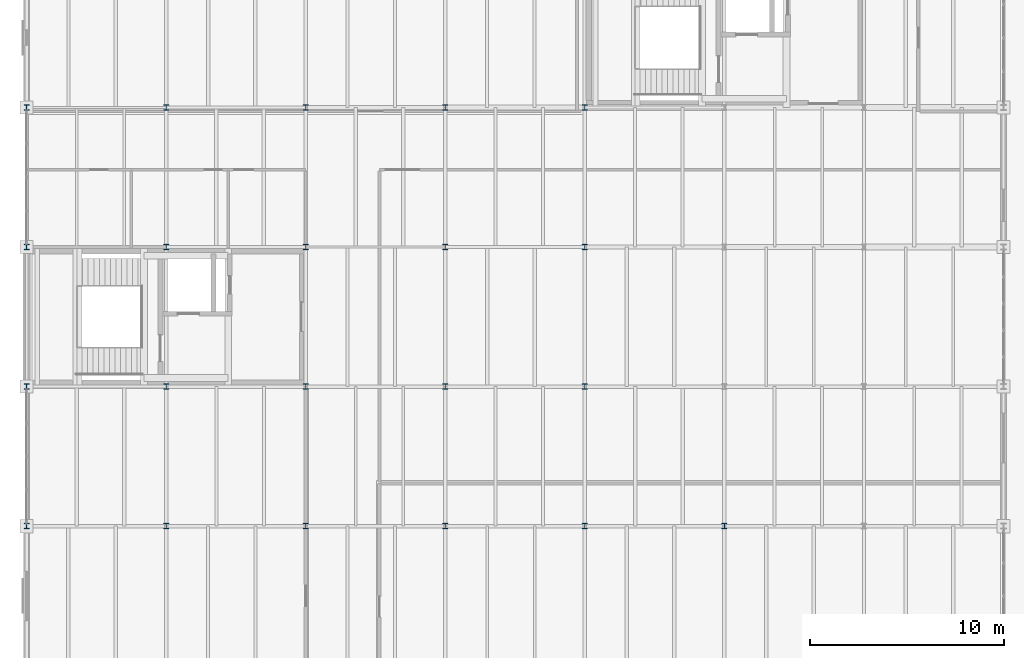
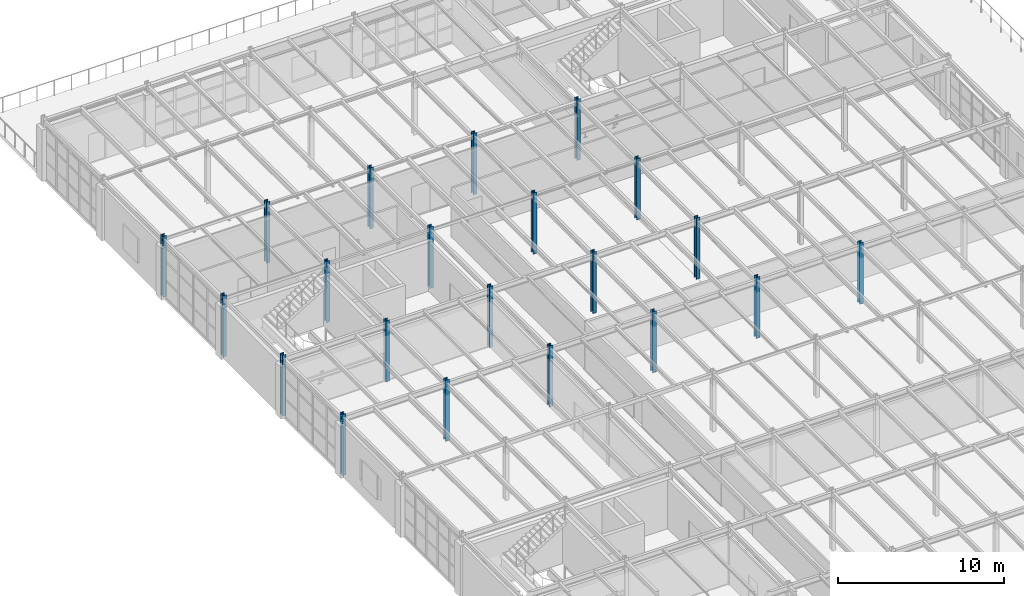
# One storey, part 4 of 101: 21 columns.
"""IFC4 building model written with IfcOpenShell, lengths in metres."""

import ifcopenshell
import ifcopenshell.guid

model = None  # the IFC model being written
_history = None  # IfcOwnerHistory: only IFC2X3 demands one
_inside = {}  # id of a spatial element -> (the spatial element, [elements in it])
_under = {}  # id of a project, library or spatial element -> (it, [spatial elements below it])
_declared = {}  # id of a project -> (the project, [libraries it declares])
_typed = {}  # id of a type object -> (the type object, [elements of that type])
_made_of = {}  # id of a material, layer set ... -> (it, [elements and type objects made of it])


def new_model(schema):
    """Start an empty IFC model of exactly this schema.

    Asked for "IFC4X3", IfcOpenShell would pick the latest addendum, in which some entities
    have other attributes; the version numbers below select the first issue.
    IFC2X3 requires an IfcOwnerHistory on every rooted entity: one is made here for all.
    """
    global model, _history
    if schema == "IFC4X3":
        model = ifcopenshell.file(schema_version=(4, 3, 0, 0))
    else:
        model = ifcopenshell.file(schema=schema)
    _inside.clear()
    _under.clear()
    _declared.clear()
    _typed.clear()
    _made_of.clear()
    _history = None
    if model.schema == "IFC2X3":
        org = make("IfcOrganization", Name="unknown")
        user = make(
            "IfcPersonAndOrganization",
            ThePerson=make("IfcPerson", FamilyName="unknown"),
            TheOrganization=org,
        )
        app = make(
            "IfcApplication",
            ApplicationDeveloper=org,
            Version="unknown",
            ApplicationFullName="unknown",
            ApplicationIdentifier="unknown",
        )
        _history = make(
            "IfcOwnerHistory",
            OwningUser=user,
            OwningApplication=app,
            ChangeAction="ADDED",
            CreationDate=0,
        )
    return model


def make(cls, **values):
    """One entity of the class cls with the attributes given. An attribute that is None is left unset."""
    return model.create_entity(
        cls, **{name: value for name, value in values.items() if value is not None}
    )


def rooted(cls, **values):
    """An entity with a GlobalId (a new one), such as an element, a storey or a relation."""
    return make(cls, GlobalId=ifcopenshell.guid.new(), OwnerHistory=_history, **values)


def si_unit(unit_type, name, prefix=None):
    """IfcSIUnit, for example si_unit("LENGTHUNIT", "METRE", prefix="MILLI")."""
    return make("IfcSIUnit", UnitType=unit_type, Prefix=prefix, Name=name)


def assignment(units):
    """IfcUnitAssignment: the units of a project."""
    return None if units is None else make("IfcUnitAssignment", Units=units)


def point(xyz):
    """IfcCartesianPoint."""
    return None if xyz is None else make("IfcCartesianPoint", Coordinates=xyz)


def direction(xyz):
    """IfcDirection."""
    return None if xyz is None else make("IfcDirection", DirectionRatios=xyz)


def frame(location, z_axis=None, x_axis=None):
    """IfcAxis2Placement3D, a coordinate frame: its origin and axes. An axis left out is left unset."""
    return make(
        "IfcAxis2Placement3D",
        Location=point(location),
        Axis=direction(z_axis),
        RefDirection=direction(x_axis),
    )


def frame_2d(location, x_axis=None):
    """IfcAxis2Placement2D, a coordinate frame in the plane: its origin and x axis."""
    return make(
        "IfcAxis2Placement2D", Location=point(location), RefDirection=direction(x_axis)
    )


def origin():
    """The frame at (0, 0, 0) with its axes left unset."""
    return frame((0.0, 0.0, 0.0))


def origin_2d():
    """The frame at (0, 0) in the plane with its x axis left unset."""
    return frame_2d((0.0, 0.0))


def place(relative_to, where):
    """IfcLocalPlacement: puts the frame where relative to a parent placement (None: the world)."""
    return make(
        "IfcLocalPlacement", PlacementRelTo=relative_to, RelativePlacement=where
    )


def context(
    kind, dimensions, precision=None, world=None, true_north=None, identifier=None
):
    """IfcGeometricRepresentationContext, for example the 3D "Model" context."""
    return make(
        "IfcGeometricRepresentationContext",
        ContextIdentifier=identifier,
        ContextType=kind,
        CoordinateSpaceDimension=dimensions,
        Precision=precision,
        WorldCoordinateSystem=world,
        TrueNorth=true_north,
    )


def subcontext(parent, identifier, kind, view, scale=None):
    """IfcGeometricRepresentationSubContext, for example "Body" below "Model"."""
    return make(
        "IfcGeometricRepresentationSubContext",
        ContextIdentifier=identifier,
        ContextType=kind,
        ParentContext=parent,
        TargetScale=scale,
        TargetView=view,
    )


def project(units=None, contexts=None):
    """IfcProject with its units and contexts."""
    return rooted(
        "IfcProject",
        Name="project",
        RepresentationContexts=contexts,
        UnitsInContext=assignment(units),
    )


def spatial(cls, under=None, at=None, **own):
    """A site, building, storey or space (cls), placed at a placement, below another one or the project."""
    s = rooted(cls, ObjectPlacement=at, **own)
    if under is not None:
        _under.setdefault(under.id(), (under, []))[1].append(s)
    return s


def profile(cls, at=None, kind="AREA", **sizes):
    """A parametric profile (cls). Its sizes go by their IFC names, for example OverallWidth=200.0."""
    return make(cls, ProfileType=kind, Position=at, **sizes)


def i_section(**sizes):
    """IfcIShapeProfileDef."""
    return profile("IfcIShapeProfileDef", **sizes)


def extrude(swept, where, along, depth):
    """IfcExtrudedAreaSolid: the profile swept, set in the frame where, extruded along a direction by depth."""
    return make(
        "IfcExtrudedAreaSolid",
        SweptArea=swept,
        Position=where,
        ExtrudedDirection=direction(along),
        Depth=depth,
    )


def shape(context_of_items, identifier, shape_type, items):
    """IfcShapeRepresentation: the items that make up one representation, for example the "Body"."""
    return make(
        "IfcShapeRepresentation",
        ContextOfItems=context_of_items,
        RepresentationIdentifier=identifier,
        RepresentationType=shape_type,
        Items=items,
    )


def material(Name=None, Category=None):
    """IfcMaterial."""
    return make("IfcMaterial", Name=Name, Category=Category)


def material_profile(
    of_material, cross_section, Name=None, Category=None, Priority=None
):
    """IfcMaterialProfile: a cross section and its material."""
    return make(
        "IfcMaterialProfile",
        Name=Name,
        Material=of_material,
        Profile=cross_section,
        Priority=Priority,
        Category=Category,
    )


def profile_set(profiles, Name=None, composite=None):
    """IfcMaterialProfileSet."""
    return make(
        "IfcMaterialProfileSet",
        Name=Name,
        MaterialProfiles=profiles,
        CompositeProfile=composite,
    )


def made_of(thing, what):
    """Note that an element or type object is made of a material, layer set ...; save() writes the relation."""
    if what is not None:
        _made_of.setdefault(what.id(), (what, []))[1].append(thing)
    return thing


def type_object(cls, material=None, **own):
    """A type object (cls), such as IfcWallType, which elements share."""
    return made_of(rooted(cls, **own), material)


def element(
    cls,
    number,
    at=None,
    inside=None,
    cuts=None,
    type_object=None,
    material=None,
    context=None,
    identifier="Body",
    shape_type=None,
    held_by="IfcProductDefinitionShape",
    body=None,
    shapes=None,
    **own,
):
    """One element of the class cls, such as IfcWall. Its Tag is "e" and its number.

    at: its placement. inside: the storey or other place that contains it. cuts: it is an
    opening in that element (IfcRelVoidsElement). A single representation is given by context,
    identifier, shape_type and body (its items); several are given by shapes. held_by: the class
    of the entity that holds the representations. save() writes the other relations.
    """
    e = rooted(cls, Tag="e%d" % number, ObjectPlacement=at, **own)
    if body is not None:
        shapes = [shape(context, identifier, shape_type, body)]
    if shapes is not None:
        e.Representation = make(held_by, Representations=shapes)
    if inside is not None:
        _inside.setdefault(inside.id(), (inside, []))[1].append(e)
    if cuts is not None:
        rooted(
            "IfcRelVoidsElement", RelatingBuildingElement=cuts, RelatedOpeningElement=e
        )
    if type_object is not None:
        _typed.setdefault(type_object.id(), (type_object, []))[1].append(e)
    return made_of(e, material)


def aggregate(whole, parts):
    """IfcRelAggregates: a whole, such as a stair, and the parts it consists of."""
    return rooted("IfcRelAggregates", RelatingObject=whole, RelatedObjects=parts)


def save(model, path):
    """Write the relations noted so far, then the file.

    IfcRelAggregates (storeys below a building ...), IfcRelContainedInSpatialStructure (elements
    in a storey), IfcRelDefinesByType, IfcRelAssociatesMaterial and IfcRelDeclares: one each for
    every whole, place, type object, material and project.
    """
    for whole, parts in _under.values():
        aggregate(whole, parts)
    for where, things in _inside.values():
        rooted(
            "IfcRelContainedInSpatialStructure",
            RelatedElements=things,
            RelatingStructure=where,
        )
    for kind, things in _typed.values():
        rooted("IfcRelDefinesByType", RelatedObjects=things, RelatingType=kind)
    for what, things in _made_of.values():
        rooted("IfcRelAssociatesMaterial", RelatedObjects=things, RelatingMaterial=what)
    for by, libraries in _declared.values():
        rooted("IfcRelDeclares", RelatingContext=by, RelatedDefinitions=libraries)
    model.write(path)


model = new_model("IFC4")

# Units and contexts
model_context = context("Model", 3, precision=1e-05, world=origin(), true_north=direction((0.0, 1.0)))
body_context = subcontext(model_context, "Body", "Model", "MODEL_VIEW")
ifc_project = project(units=[si_unit("LENGTHUNIT", "METRE"), si_unit("AREAUNIT", "SQUARE_METRE"), si_unit("VOLUMEUNIT", "CUBIC_METRE"), si_unit("PLANEANGLEUNIT", "RADIAN"), si_unit("MASSUNIT", "GRAM", prefix="KILO")], contexts=[model_context])

# Site, building, storey
site_placement = place(None, origin())
site = spatial("IfcSite", under=ifc_project, at=site_placement, CompositionType="ELEMENT")
building_placement = place(site_placement, origin())
building = spatial("IfcBuilding", under=site, at=building_placement, Name="Kemerveld Promenade Tramway Depot", CompositionType="ELEMENT")
storey_placement = place(building_placement, frame((0.0, 0.0, 9.89990234375)))
storey = spatial("IfcBuildingStorey", under=building, at=storey_placement, Name="L02", CompositionType="ELEMENT", Elevation=9.89990234375)

# Columns
ifc_material = material(Name="Steel S355", Category="steel")
ifc_material_profile = material_profile(ifc_material, i_section(OverallWidth=0.26123046875, OverallDepth=0.2763671875, WebThickness=0.015380859375, FlangeThickness=0.025390625, FilletRadius=0.0126953125, at=origin_2d()), Name="254x254x132 UC")
ifc_profile_set = profile_set([ifc_material_profile], Name="Steel S355")
column_type = type_object("IfcColumnType", Name="COL-S07", PredefinedType="COLUMN", material=ifc_profile_set)
for number, where, z_axis, x_axis, name in (
    (1, (0.0, 36.0, 0.0), (0.0, 0.0, 1.0), (1.0, 0.0, 0.0), "COL-L02-01-F"),
    (2, (0.0, 43.199951171875, 0.0), (0.0, 0.0, 1.0), (1.0, 0.0, 0.0), "COL-L02-01-G"),
    (3, (0.0, 50.39990234375, 0.0), (0.0, 0.0, 1.0), (1.0, 0.0, 0.0), "COL-L02-01-H"),
    (4, (0.0, 57.60009765625, 0.0), (0.0, 0.0, 1.0), (1.0, 0.0, 0.0), "COL-L02-01-J"),
    (5, (7.199951171875, 36.0, 0.0), (0.0, 0.0, 1.0), (1.0, 0.0, 0.0), "COL-L02-02-F"),
    (6, (7.199951171875, 43.199951171875, 0.0), (0.0, 0.0, 1.0), (1.0, 0.0, 0.0), "COL-L02-02-G"),
    (7, (7.199951171875, 50.39990234375, 0.0), (0.0, 0.0, 1.0), (1.0, 0.0, 0.0), "COL-L02-02-H"),
    (8, (7.199951171875, 57.60009765625, 0.0), (0.0, 0.0, 1.0), (1.0, 0.0, 0.0), "COL-L02-02-J"),
    (9, (14.39990234375, 36.0, 0.0), (0.0, 0.0, 1.0), (1.0, 0.0, 0.0), "COL-L02-03-F"),
    (10, (14.39990234375, 43.199951171875, 0.0), (0.0, 0.0, 1.0), (1.0, 0.0, 0.0), "COL-L02-03-G"),
    (11, (14.39990234375, 50.39990234375, 0.0), (0.0, 0.0, 1.0), (1.0, 0.0, 0.0), "COL-L02-03-H"),
    (12, (14.39990234375, 57.60009765625, 0.0), (0.0, 0.0, 1.0), (1.0, 0.0, 0.0), "COL-L02-03-J"),
    (13, (21.60009765625, 36.0, 0.0), (0.0, 0.0, 1.0), (1.0, 0.0, 0.0), "COL-L02-04-F"),
    (14, (21.60009765625, 43.199951171875, 0.0), (0.0, 0.0, 1.0), (1.0, 0.0, 0.0), "COL-L02-04-G"),
    (15, (21.60009765625, 50.39990234375, 0.0), (0.0, 0.0, 1.0), (1.0, 0.0, 0.0), "COL-L02-04-H"),
    (16, (21.60009765625, 57.60009765625, 0.0), (0.0, 0.0, 1.0), (1.0, 0.0, 0.0), "COL-L02-04-J"),
    (17, (28.800048828125, 36.0, 0.0), (0.0, 0.0, 1.0), (1.0, 0.0, 0.0), "COL-L02-05-F"),
    (18, (28.800048828125, 43.199951171875, 0.0), (0.0, 0.0, 1.0), (1.0, 0.0, 0.0), "COL-L02-05-G"),
    (19, (28.800048828125, 50.39990234375, 0.0), (0.0, 0.0, 1.0), (1.0, 0.0, 0.0), "COL-L02-05-H"),
    (20, (28.800048828125, 57.60009765625, 0.0), (0.0, 0.0, 1.0), (1.0, 0.0, 0.0), "COL-L02-05-J"),
    (21, (36.0, 36.0, 0.0), (0.0, 0.0, 1.0), (1.0, 0.0, 0.0), "COL-L02-06-F"),
):
    element("IfcColumn", number, at=place(storey_placement, frame(where, z_axis=z_axis, x_axis=x_axis)), inside=storey, type_object=column_type, Name=name, PredefinedType="COLUMN", context=body_context, shape_type="SweptSolid", body=[
        extrude(i_section(OverallWidth=0.26123046875, OverallDepth=0.2763671875, WebThickness=0.015380859375, FlangeThickness=0.025390625, FilletRadius=0.0126953125, at=origin_2d()), origin(), (0.0, 0.0, 1.0), 4.5),
    ])

save(model, "model.ifc")
